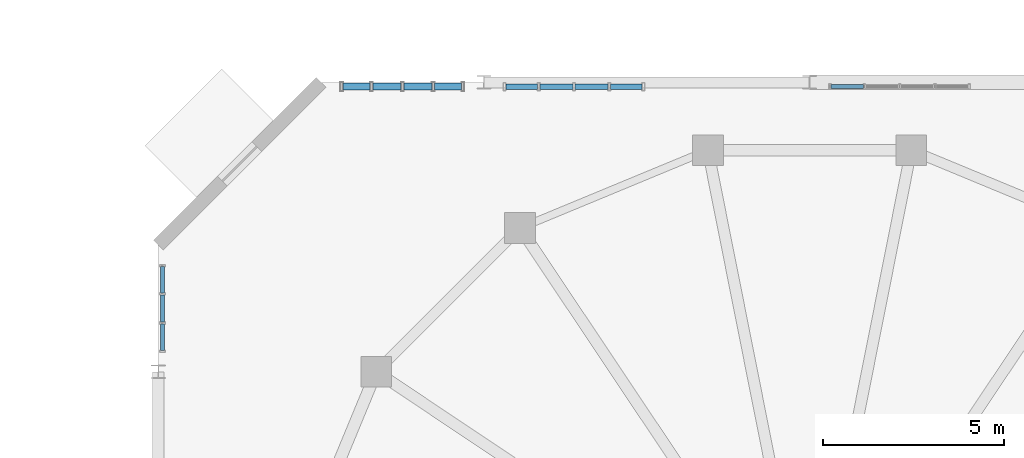
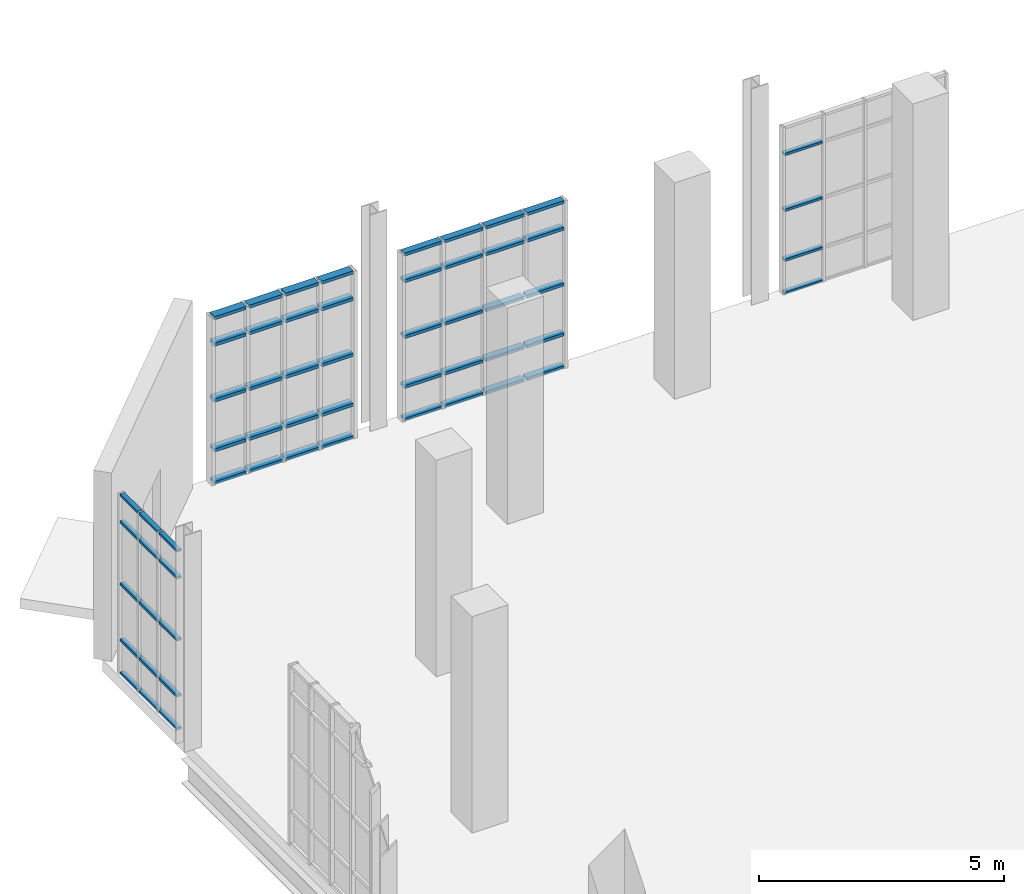
# One storey, part 132 of 189: 59 members, 4 elements without a shape of their own.
"""IFC4 building model written with IfcOpenShell, lengths in metres."""

from ifc_helpers import new_model, si_unit, direction, frame, origin, origin_2d, place, context, subcontext, project, spatial, hollow_rectangle, extrude, material, layer, layer_set, material_profile, profile_set, type_object, element, aggregate, save


model = new_model("IFC4")

# Units and contexts
model_context = context("Model", 3, precision=1e-05, world=origin(), true_north=direction((0.0, 1.0)))
body_context = subcontext(model_context, "Body", "Model", "MODEL_VIEW")
ifc_project = project(units=[si_unit("LENGTHUNIT", "METRE"), si_unit("AREAUNIT", "SQUARE_METRE"), si_unit("VOLUMEUNIT", "CUBIC_METRE"), si_unit("PLANEANGLEUNIT", "RADIAN"), si_unit("MASSUNIT", "GRAM", prefix="KILO"), si_unit("THERMODYNAMICTEMPERATUREUNIT", "KELVIN"), si_unit("POWERUNIT", "WATT")], contexts=[model_context])

# Site, building, storey
site_placement = place(None, origin())
site = spatial("IfcSite", under=ifc_project, at=site_placement, CompositionType="ELEMENT")
building_placement = place(site_placement, origin())
building = spatial("IfcBuilding", under=site, at=building_placement, Name="Zelmaris Science Centre", CompositionType="ELEMENT")
storey_placement = place(building_placement, origin())
storey = spatial("IfcBuildingStorey", under=building, at=storey_placement, Name="L00", CompositionType="ELEMENT", Elevation=0.0)

# Curtain wall, members
ifc_material = material(Name="Anodised architectural aluminium 6063-T6", Category="aluminium")
ifc_layer_1 = layer(ifc_material, 0.219970703125, Name="Anodised architectural aluminium 6063-T6")
ifc_layer_set_1 = layer_set([ifc_layer_1], Name="Anodised architectural aluminium 6063-T6")
curtain_wall_type_1 = type_object("IfcCurtainWallType", Name="Curtain Wall CW-04", PredefinedType="USERDEFINED", material=ifc_layer_set_1)
curtain_wall_1_placement = place(storey_placement, origin())
curtain_wall_1 = element("IfcCurtainWall", 1, at=curtain_wall_1_placement, inside=storey, type_object=curtain_wall_type_1, Name="L00 Unitised curtain wall 16", ObjectType="GLAZED CURTAIN WALL", PredefinedType="USERDEFINED")
ifc_material_profile_1 = material_profile(ifc_material, hollow_rectangle(XDim=0.06005859375, YDim=0.110107421875, WallThickness=0.0029296875, at=origin_2d()), Name="ALU-TRN-60X110")
ifc_profile_set_1 = profile_set([ifc_material_profile_1], Name="Anodised architectural aluminium 6063-T6")
member_type_1 = type_object("IfcMemberType", Name="ALU-TRN-60X110", PredefinedType="USERDEFINED", material=ifc_profile_set_1)
member_1_placement = place(storey_placement, frame((9.1201171875, 80.592041015625, 0.010986328125), z_axis=(0.0, 1.0, 0.0), x_axis=(0.0, 0.0, 1.0)))
member_1 = element("IfcMember", 2, at=member_1_placement, type_object=member_type_1, Name="CW-04 transom 1.1", ObjectType="TRANSOM", PredefinedType="USERDEFINED", context=body_context, shape_type="SweptSolid", body=[
    extrude(hollow_rectangle(XDim=0.06005859375, YDim=0.110107421875, WallThickness=0.0029296875, at=origin_2d()), origin(), (0.0, 0.0, 1.0), 0.728515625),
])
member_2_placement = place(storey_placement, frame((9.1201171875, 80.592041015625, 0.8349609375), z_axis=(0.0, 1.0, 0.0), x_axis=(0.0, 0.0, 1.0)))
member_2 = element("IfcMember", 3, at=member_2_placement, type_object=member_type_1, Name="CW-04 transom 1.2", ObjectType="TRANSOM", PredefinedType="USERDEFINED", context=body_context, shape_type="SweptSolid", body=[
    extrude(hollow_rectangle(XDim=0.06005859375, YDim=0.110107421875, WallThickness=0.0029296875, at=origin_2d()), origin(), (0.0, 0.0, 1.0), 0.728515625),
])
member_3_placement = place(storey_placement, frame((9.1201171875, 80.592041015625, 2.23388671875), z_axis=(0.0, 1.0, 0.0), x_axis=(0.0, 0.0, 1.0)))
member_3 = element("IfcMember", 4, at=member_3_placement, type_object=member_type_1, Name="CW-04 transom 1.3", ObjectType="TRANSOM", PredefinedType="USERDEFINED", context=body_context, shape_type="SweptSolid", body=[
    extrude(hollow_rectangle(XDim=0.06005859375, YDim=0.110107421875, WallThickness=0.0029296875, at=origin_2d()), origin(), (0.0, 0.0, 1.0), 0.728515625),
])
member_4_placement = place(storey_placement, frame((9.1201171875, 80.592041015625, 3.782958984375), z_axis=(0.0, 1.0, 0.0), x_axis=(0.0, 0.0, 1.0)))
member_4 = element("IfcMember", 5, at=member_4_placement, type_object=member_type_1, Name="CW-04 transom 1.4", ObjectType="TRANSOM", PredefinedType="USERDEFINED", context=body_context, shape_type="SweptSolid", body=[
    extrude(hollow_rectangle(XDim=0.06005859375, YDim=0.110107421875, WallThickness=0.0029296875, at=origin_2d()), origin(), (0.0, 0.0, 1.0), 0.728515625),
])
member_5_placement = place(storey_placement, frame((9.1201171875, 80.592041015625, 4.45703125), z_axis=(0.0, 1.0, 0.0), x_axis=(0.0, 0.0, 1.0)))
member_5 = element("IfcMember", 6, at=member_5_placement, type_object=member_type_1, Name="CW-04 transom 1.5", ObjectType="TRANSOM", PredefinedType="USERDEFINED", context=body_context, shape_type="SweptSolid", body=[
    extrude(hollow_rectangle(XDim=0.06005859375, YDim=0.110107421875, WallThickness=0.0029296875, at=origin_2d()), origin(), (0.0, 0.0, 1.0), 0.728515625),
])
member_6_placement = place(storey_placement, frame((9.1201171875, 81.37255859375, 0.010986328125), z_axis=(0.0, 1.0, 0.0), x_axis=(0.0, 0.0, 1.0)))
member_6 = element("IfcMember", 7, at=member_6_placement, type_object=member_type_1, Name="CW-04 transom 2.1", ObjectType="TRANSOM", PredefinedType="USERDEFINED", context=body_context, shape_type="SweptSolid", body=[
    extrude(hollow_rectangle(XDim=0.06005859375, YDim=0.110107421875, WallThickness=0.0029296875, at=origin_2d()), origin(), (0.0, 0.0, 1.0), 0.7548828125),
])
member_7_placement = place(storey_placement, frame((9.1201171875, 81.37255859375, 0.8349609375), z_axis=(0.0, 1.0, 0.0), x_axis=(0.0, 0.0, 1.0)))
member_7 = element("IfcMember", 8, at=member_7_placement, type_object=member_type_1, Name="CW-04 transom 2.2", ObjectType="TRANSOM", PredefinedType="USERDEFINED", context=body_context, shape_type="SweptSolid", body=[
    extrude(hollow_rectangle(XDim=0.06005859375, YDim=0.110107421875, WallThickness=0.0029296875, at=origin_2d()), origin(), (0.0, 0.0, 1.0), 0.7548828125),
])
member_8_placement = place(storey_placement, frame((9.1201171875, 81.37255859375, 2.23388671875), z_axis=(0.0, 1.0, 0.0), x_axis=(0.0, 0.0, 1.0)))
member_8 = element("IfcMember", 9, at=member_8_placement, type_object=member_type_1, Name="CW-04 transom 2.3", ObjectType="TRANSOM", PredefinedType="USERDEFINED", context=body_context, shape_type="SweptSolid", body=[
    extrude(hollow_rectangle(XDim=0.06005859375, YDim=0.110107421875, WallThickness=0.0029296875, at=origin_2d()), origin(), (0.0, 0.0, 1.0), 0.7548828125),
])
member_9_placement = place(storey_placement, frame((9.1201171875, 81.37255859375, 3.782958984375), z_axis=(0.0, 1.0, 0.0), x_axis=(0.0, 0.0, 1.0)))
member_9 = element("IfcMember", 10, at=member_9_placement, type_object=member_type_1, Name="CW-04 transom 2.4", ObjectType="TRANSOM", PredefinedType="USERDEFINED", context=body_context, shape_type="SweptSolid", body=[
    extrude(hollow_rectangle(XDim=0.06005859375, YDim=0.110107421875, WallThickness=0.0029296875, at=origin_2d()), origin(), (0.0, 0.0, 1.0), 0.7548828125),
])
member_10_placement = place(storey_placement, frame((9.1201171875, 81.37255859375, 4.45703125), z_axis=(0.0, 1.0, 0.0), x_axis=(0.0, 0.0, 1.0)))
member_10 = element("IfcMember", 11, at=member_10_placement, type_object=member_type_1, Name="CW-04 transom 2.5", ObjectType="TRANSOM", PredefinedType="USERDEFINED", context=body_context, shape_type="SweptSolid", body=[
    extrude(hollow_rectangle(XDim=0.06005859375, YDim=0.110107421875, WallThickness=0.0029296875, at=origin_2d()), origin(), (0.0, 0.0, 1.0), 0.7548828125),
])
member_11_placement = place(storey_placement, frame((9.1201171875, 82.179443359375, 0.010986328125), z_axis=(0.0, 1.0, 0.0), x_axis=(0.0, 0.0, 1.0)))
member_11 = element("IfcMember", 12, at=member_11_placement, type_object=member_type_1, Name="CW-04 transom 3.1", ObjectType="TRANSOM", PredefinedType="USERDEFINED", context=body_context, shape_type="SweptSolid", body=[
    extrude(hollow_rectangle(XDim=0.06005859375, YDim=0.110107421875, WallThickness=0.0029296875, at=origin_2d()), origin(), (0.0, 0.0, 1.0), 0.728515625),
])
member_12_placement = place(storey_placement, frame((9.1201171875, 82.179443359375, 0.8349609375), z_axis=(0.0, 1.0, 0.0), x_axis=(0.0, 0.0, 1.0)))
member_12 = element("IfcMember", 13, at=member_12_placement, type_object=member_type_1, Name="CW-04 transom 3.2", ObjectType="TRANSOM", PredefinedType="USERDEFINED", context=body_context, shape_type="SweptSolid", body=[
    extrude(hollow_rectangle(XDim=0.06005859375, YDim=0.110107421875, WallThickness=0.0029296875, at=origin_2d()), origin(), (0.0, 0.0, 1.0), 0.728515625),
])
member_13_placement = place(storey_placement, frame((9.1201171875, 82.179443359375, 2.23388671875), z_axis=(0.0, 1.0, 0.0), x_axis=(0.0, 0.0, 1.0)))
member_13 = element("IfcMember", 14, at=member_13_placement, type_object=member_type_1, Name="CW-04 transom 3.3", ObjectType="TRANSOM", PredefinedType="USERDEFINED", context=body_context, shape_type="SweptSolid", body=[
    extrude(hollow_rectangle(XDim=0.06005859375, YDim=0.110107421875, WallThickness=0.0029296875, at=origin_2d()), origin(), (0.0, 0.0, 1.0), 0.728515625),
])
member_14_placement = place(storey_placement, frame((9.1201171875, 82.179443359375, 3.782958984375), z_axis=(0.0, 1.0, 0.0), x_axis=(0.0, 0.0, 1.0)))
member_14 = element("IfcMember", 15, at=member_14_placement, type_object=member_type_1, Name="CW-04 transom 3.4", ObjectType="TRANSOM", PredefinedType="USERDEFINED", context=body_context, shape_type="SweptSolid", body=[
    extrude(hollow_rectangle(XDim=0.06005859375, YDim=0.110107421875, WallThickness=0.0029296875, at=origin_2d()), origin(), (0.0, 0.0, 1.0), 0.728515625),
])
member_15_placement = place(storey_placement, frame((9.1201171875, 82.179443359375, 4.45703125), z_axis=(0.0, 1.0, 0.0), x_axis=(0.0, 0.0, 1.0)))
member_15 = element("IfcMember", 16, at=member_15_placement, type_object=member_type_1, Name="CW-04 transom 3.5", ObjectType="TRANSOM", PredefinedType="USERDEFINED", context=body_context, shape_type="SweptSolid", body=[
    extrude(hollow_rectangle(XDim=0.06005859375, YDim=0.110107421875, WallThickness=0.0029296875, at=origin_2d()), origin(), (0.0, 0.0, 1.0), 0.728515625),
])
aggregate(curtain_wall_1, [member_1, member_2, member_3, member_4, member_5, member_6, member_7, member_8, member_9, member_10, member_11, member_12, member_13, member_14, member_15])

curtain_wall_2_placement = place(storey_placement, origin())
curtain_wall_2 = element("IfcCurtainWall", 17, at=curtain_wall_2_placement, inside=storey, type_object=curtain_wall_type_1, Name="L00 Unitised curtain wall 20", ObjectType="GLAZED CURTAIN WALL", PredefinedType="USERDEFINED")
member_16_placement = place(storey_placement, frame((27.592041015625, 87.8798828125, 0.010986328125), z_axis=(1.0, 0.0, 0.0), x_axis=(0.0, 0.0, 1.0)))
member_16 = element("IfcMember", 18, at=member_16_placement, type_object=member_type_1, Name="CW-04 transom 1.1", ObjectType="TRANSOM", PredefinedType="USERDEFINED", context=body_context, shape_type="SweptSolid", body=[
    extrude(hollow_rectangle(XDim=0.06005859375, YDim=0.110107421875, WallThickness=0.0029296875, at=origin_2d()), origin(), (0.0, 0.0, 1.0), 0.89697265625),
])
member_17_placement = place(storey_placement, frame((27.592041015625, 87.8798828125, 0.8349609375), z_axis=(1.0, 0.0, 0.0), x_axis=(0.0, 0.0, 1.0)))
member_17 = element("IfcMember", 19, at=member_17_placement, type_object=member_type_1, Name="CW-04 transom 1.2", ObjectType="TRANSOM", PredefinedType="USERDEFINED", context=body_context, shape_type="SweptSolid", body=[
    extrude(hollow_rectangle(XDim=0.06005859375, YDim=0.110107421875, WallThickness=0.0029296875, at=origin_2d()), origin(), (0.0, 0.0, 1.0), 0.89697265625),
])
member_18_placement = place(storey_placement, frame((27.592041015625, 87.8798828125, 2.077880859375), z_axis=(1.0, 0.0, 0.0), x_axis=(0.0, 0.0, 1.0)))
member_18 = element("IfcMember", 20, at=member_18_placement, type_object=member_type_1, Name="CW-04 transom 1.3", ObjectType="TRANSOM", PredefinedType="USERDEFINED", context=body_context, shape_type="SweptSolid", body=[
    extrude(hollow_rectangle(XDim=0.06005859375, YDim=0.110107421875, WallThickness=0.0029296875, at=origin_2d()), origin(), (0.0, 0.0, 1.0), 0.89697265625),
])
member_19_placement = place(storey_placement, frame((27.592041015625, 87.8798828125, 3.470947265625), z_axis=(1.0, 0.0, 0.0), x_axis=(0.0, 0.0, 1.0)))
member_19 = element("IfcMember", 21, at=member_19_placement, type_object=member_type_1, Name="CW-04 transom 1.4", ObjectType="TRANSOM", PredefinedType="USERDEFINED", context=body_context, shape_type="SweptSolid", body=[
    extrude(hollow_rectangle(XDim=0.06005859375, YDim=0.110107421875, WallThickness=0.0029296875, at=origin_2d()), origin(), (0.0, 0.0, 1.0), 0.89697265625),
])
aggregate(curtain_wall_2, [member_16, member_17, member_18, member_19])

ifc_layer_2 = layer(ifc_material, 0.199951171875, Name="Anodised architectural aluminium 6063-T6")
ifc_layer_set_2 = layer_set([ifc_layer_2], Name="Anodised architectural aluminium 6063-T6")
curtain_wall_type_2 = type_object("IfcCurtainWallType", Name="Curtain Wall CW-02", PredefinedType="USERDEFINED", material=ifc_layer_set_2)
curtain_wall_3_placement = place(storey_placement, origin())
curtain_wall_3 = element("IfcCurtainWall", 22, at=curtain_wall_3_placement, inside=storey, type_object=curtain_wall_type_2, Name="L00 Unitised curtain wall 18", ObjectType="GLAZED CURTAIN WALL", PredefinedType="USERDEFINED")
ifc_material_profile_2 = material_profile(ifc_material, hollow_rectangle(XDim=0.074951171875, YDim=0.159912109375, WallThickness=0.00390625, at=origin_2d()), Name="ALU-TRN-75X160")
ifc_profile_set_2 = profile_set([ifc_material_profile_2], Name="Anodised architectural aluminium 6063-T6")
member_type_2 = type_object("IfcMemberType", Name="ALU-TRN-75X160", PredefinedType="USERDEFINED", material=ifc_profile_set_2)
member_20_placement = place(storey_placement, frame((18.60693359375, 87.8798828125, 0.0185546875), z_axis=(1.0, 0.0, 0.0), x_axis=(0.0, 0.0, 1.0)))
member_20 = element("IfcMember", 23, at=member_20_placement, type_object=member_type_2, Name="CW-02 transom 1.1", ObjectType="TRANSOM", PredefinedType="USERDEFINED", context=body_context, shape_type="SweptSolid", body=[
    extrude(hollow_rectangle(XDim=0.074951171875, YDim=0.159912109375, WallThickness=0.00390625, at=origin_2d()), origin(), (0.0, 0.0, 1.0), 0.87451171875),
])
member_21_placement = place(storey_placement, frame((18.60693359375, 87.8798828125, 0.8349609375), z_axis=(1.0, 0.0, 0.0), x_axis=(0.0, 0.0, 1.0)))
member_21 = element("IfcMember", 24, at=member_21_placement, type_object=member_type_2, Name="CW-02 transom 1.2", ObjectType="TRANSOM", PredefinedType="USERDEFINED", context=body_context, shape_type="SweptSolid", body=[
    extrude(hollow_rectangle(XDim=0.074951171875, YDim=0.159912109375, WallThickness=0.00390625, at=origin_2d()), origin(), (0.0, 0.0, 1.0), 0.87451171875),
])
member_22_placement = place(storey_placement, frame((18.60693359375, 87.8798828125, 2.077880859375), z_axis=(1.0, 0.0, 0.0), x_axis=(0.0, 0.0, 1.0)))
member_22 = element("IfcMember", 25, at=member_22_placement, type_object=member_type_2, Name="CW-02 transom 1.3", ObjectType="TRANSOM", PredefinedType="USERDEFINED", context=body_context, shape_type="SweptSolid", body=[
    extrude(hollow_rectangle(XDim=0.074951171875, YDim=0.159912109375, WallThickness=0.00390625, at=origin_2d()), origin(), (0.0, 0.0, 1.0), 0.87451171875),
])
member_23_placement = place(storey_placement, frame((18.60693359375, 87.8798828125, 3.470947265625), z_axis=(1.0, 0.0, 0.0), x_axis=(0.0, 0.0, 1.0)))
member_23 = element("IfcMember", 26, at=member_23_placement, type_object=member_type_2, Name="CW-02 transom 1.4", ObjectType="TRANSOM", PredefinedType="USERDEFINED", context=body_context, shape_type="SweptSolid", body=[
    extrude(hollow_rectangle(XDim=0.074951171875, YDim=0.159912109375, WallThickness=0.00390625, at=origin_2d()), origin(), (0.0, 0.0, 1.0), 0.87451171875),
])
member_24_placement = place(storey_placement, frame((18.60693359375, 87.8798828125, 4.137451171875), z_axis=(1.0, 0.0, 0.0), x_axis=(0.0, 0.0, 1.0)))
member_24 = element("IfcMember", 27, at=member_24_placement, type_object=member_type_2, Name="CW-02 transom 1.5", ObjectType="TRANSOM", PredefinedType="USERDEFINED", context=body_context, shape_type="SweptSolid", body=[
    extrude(hollow_rectangle(XDim=0.074951171875, YDim=0.159912109375, WallThickness=0.00390625, at=origin_2d()), origin(), (0.0, 0.0, 1.0), 0.87451171875),
])
member_25_placement = place(storey_placement, frame((19.548583984375, 87.8798828125, 0.0185546875), z_axis=(1.0, 0.0, 0.0), x_axis=(0.0, 0.0, 1.0)))
member_25 = element("IfcMember", 28, at=member_25_placement, type_object=member_type_2, Name="CW-02 transom 2.1", ObjectType="TRANSOM", PredefinedType="USERDEFINED", context=body_context, shape_type="SweptSolid", body=[
    extrude(hollow_rectangle(XDim=0.074951171875, YDim=0.159912109375, WallThickness=0.00390625, at=origin_2d()), origin(), (0.0, 0.0, 1.0), 0.907958984375),
])
member_26_placement = place(storey_placement, frame((19.548583984375, 87.8798828125, 0.8349609375), z_axis=(1.0, 0.0, 0.0), x_axis=(0.0, 0.0, 1.0)))
member_26 = element("IfcMember", 29, at=member_26_placement, type_object=member_type_2, Name="CW-02 transom 2.2", ObjectType="TRANSOM", PredefinedType="USERDEFINED", context=body_context, shape_type="SweptSolid", body=[
    extrude(hollow_rectangle(XDim=0.074951171875, YDim=0.159912109375, WallThickness=0.00390625, at=origin_2d()), origin(), (0.0, 0.0, 1.0), 0.907958984375),
])
member_27_placement = place(storey_placement, frame((19.548583984375, 87.8798828125, 2.077880859375), z_axis=(1.0, 0.0, 0.0), x_axis=(0.0, 0.0, 1.0)))
member_27 = element("IfcMember", 30, at=member_27_placement, type_object=member_type_2, Name="CW-02 transom 2.3", ObjectType="TRANSOM", PredefinedType="USERDEFINED", context=body_context, shape_type="SweptSolid", body=[
    extrude(hollow_rectangle(XDim=0.074951171875, YDim=0.159912109375, WallThickness=0.00390625, at=origin_2d()), origin(), (0.0, 0.0, 1.0), 0.907958984375),
])
member_28_placement = place(storey_placement, frame((19.548583984375, 87.8798828125, 3.470947265625), z_axis=(1.0, 0.0, 0.0), x_axis=(0.0, 0.0, 1.0)))
member_28 = element("IfcMember", 31, at=member_28_placement, type_object=member_type_2, Name="CW-02 transom 2.4", ObjectType="TRANSOM", PredefinedType="USERDEFINED", context=body_context, shape_type="SweptSolid", body=[
    extrude(hollow_rectangle(XDim=0.074951171875, YDim=0.159912109375, WallThickness=0.00390625, at=origin_2d()), origin(), (0.0, 0.0, 1.0), 0.907958984375),
])
member_29_placement = place(storey_placement, frame((19.548583984375, 87.8798828125, 4.137451171875), z_axis=(1.0, 0.0, 0.0), x_axis=(0.0, 0.0, 1.0)))
member_29 = element("IfcMember", 32, at=member_29_placement, type_object=member_type_2, Name="CW-02 transom 2.5", ObjectType="TRANSOM", PredefinedType="USERDEFINED", context=body_context, shape_type="SweptSolid", body=[
    extrude(hollow_rectangle(XDim=0.074951171875, YDim=0.159912109375, WallThickness=0.00390625, at=origin_2d()), origin(), (0.0, 0.0, 1.0), 0.907958984375),
])
member_30_placement = place(storey_placement, frame((20.5234375, 87.8798828125, 0.0185546875), z_axis=(1.0, 0.0, 0.0), x_axis=(0.0, 0.0, 1.0)))
member_30 = element("IfcMember", 33, at=member_30_placement, type_object=member_type_2, Name="CW-02 transom 3.1", ObjectType="TRANSOM", PredefinedType="USERDEFINED", context=body_context, shape_type="SweptSolid", body=[
    extrude(hollow_rectangle(XDim=0.074951171875, YDim=0.159912109375, WallThickness=0.00390625, at=origin_2d()), origin(), (0.0, 0.0, 1.0), 0.907958984375),
])
member_31_placement = place(storey_placement, frame((20.5234375, 87.8798828125, 0.8349609375), z_axis=(1.0, 0.0, 0.0), x_axis=(0.0, 0.0, 1.0)))
member_31 = element("IfcMember", 34, at=member_31_placement, type_object=member_type_2, Name="CW-02 transom 3.2", ObjectType="TRANSOM", PredefinedType="USERDEFINED", context=body_context, shape_type="SweptSolid", body=[
    extrude(hollow_rectangle(XDim=0.074951171875, YDim=0.159912109375, WallThickness=0.00390625, at=origin_2d()), origin(), (0.0, 0.0, 1.0), 0.907958984375),
])
member_32_placement = place(storey_placement, frame((20.5234375, 87.8798828125, 2.077880859375), z_axis=(1.0, 0.0, 0.0), x_axis=(0.0, 0.0, 1.0)))
member_32 = element("IfcMember", 35, at=member_32_placement, type_object=member_type_2, Name="CW-02 transom 3.3", ObjectType="TRANSOM", PredefinedType="USERDEFINED", context=body_context, shape_type="SweptSolid", body=[
    extrude(hollow_rectangle(XDim=0.074951171875, YDim=0.159912109375, WallThickness=0.00390625, at=origin_2d()), origin(), (0.0, 0.0, 1.0), 0.907958984375),
])
member_33_placement = place(storey_placement, frame((20.5234375, 87.8798828125, 3.470947265625), z_axis=(1.0, 0.0, 0.0), x_axis=(0.0, 0.0, 1.0)))
member_33 = element("IfcMember", 36, at=member_33_placement, type_object=member_type_2, Name="CW-02 transom 3.4", ObjectType="TRANSOM", PredefinedType="USERDEFINED", context=body_context, shape_type="SweptSolid", body=[
    extrude(hollow_rectangle(XDim=0.074951171875, YDim=0.159912109375, WallThickness=0.00390625, at=origin_2d()), origin(), (0.0, 0.0, 1.0), 0.907958984375),
])
member_34_placement = place(storey_placement, frame((20.5234375, 87.8798828125, 4.137451171875), z_axis=(1.0, 0.0, 0.0), x_axis=(0.0, 0.0, 1.0)))
member_34 = element("IfcMember", 37, at=member_34_placement, type_object=member_type_2, Name="CW-02 transom 3.5", ObjectType="TRANSOM", PredefinedType="USERDEFINED", context=body_context, shape_type="SweptSolid", body=[
    extrude(hollow_rectangle(XDim=0.074951171875, YDim=0.159912109375, WallThickness=0.00390625, at=origin_2d()), origin(), (0.0, 0.0, 1.0), 0.907958984375),
])
member_35_placement = place(storey_placement, frame((21.49853515625, 87.8798828125, 0.0185546875), z_axis=(1.0, 0.0, 0.0), x_axis=(0.0, 0.0, 1.0)))
member_35 = element("IfcMember", 38, at=member_35_placement, type_object=member_type_2, Name="CW-02 transom 4.1", ObjectType="TRANSOM", PredefinedType="USERDEFINED", context=body_context, shape_type="SweptSolid", body=[
    extrude(hollow_rectangle(XDim=0.074951171875, YDim=0.159912109375, WallThickness=0.00390625, at=origin_2d()), origin(), (0.0, 0.0, 1.0), 0.87451171875),
])
member_36_placement = place(storey_placement, frame((21.49853515625, 87.8798828125, 0.8349609375), z_axis=(1.0, 0.0, 0.0), x_axis=(0.0, 0.0, 1.0)))
member_36 = element("IfcMember", 39, at=member_36_placement, type_object=member_type_2, Name="CW-02 transom 4.2", ObjectType="TRANSOM", PredefinedType="USERDEFINED", context=body_context, shape_type="SweptSolid", body=[
    extrude(hollow_rectangle(XDim=0.074951171875, YDim=0.159912109375, WallThickness=0.00390625, at=origin_2d()), origin(), (0.0, 0.0, 1.0), 0.87451171875),
])
member_37_placement = place(storey_placement, frame((21.49853515625, 87.8798828125, 2.077880859375), z_axis=(1.0, 0.0, 0.0), x_axis=(0.0, 0.0, 1.0)))
member_37 = element("IfcMember", 40, at=member_37_placement, type_object=member_type_2, Name="CW-02 transom 4.3", ObjectType="TRANSOM", PredefinedType="USERDEFINED", context=body_context, shape_type="SweptSolid", body=[
    extrude(hollow_rectangle(XDim=0.074951171875, YDim=0.159912109375, WallThickness=0.00390625, at=origin_2d()), origin(), (0.0, 0.0, 1.0), 0.87451171875),
])
member_38_placement = place(storey_placement, frame((21.49853515625, 87.8798828125, 3.470947265625), z_axis=(1.0, 0.0, 0.0), x_axis=(0.0, 0.0, 1.0)))
member_38 = element("IfcMember", 41, at=member_38_placement, type_object=member_type_2, Name="CW-02 transom 4.4", ObjectType="TRANSOM", PredefinedType="USERDEFINED", context=body_context, shape_type="SweptSolid", body=[
    extrude(hollow_rectangle(XDim=0.074951171875, YDim=0.159912109375, WallThickness=0.00390625, at=origin_2d()), origin(), (0.0, 0.0, 1.0), 0.87451171875),
])
member_39_placement = place(storey_placement, frame((21.49853515625, 87.8798828125, 4.137451171875), z_axis=(1.0, 0.0, 0.0), x_axis=(0.0, 0.0, 1.0)))
member_39 = element("IfcMember", 42, at=member_39_placement, type_object=member_type_2, Name="CW-02 transom 4.5", ObjectType="TRANSOM", PredefinedType="USERDEFINED", context=body_context, shape_type="SweptSolid", body=[
    extrude(hollow_rectangle(XDim=0.074951171875, YDim=0.159912109375, WallThickness=0.00390625, at=origin_2d()), origin(), (0.0, 0.0, 1.0), 0.87451171875),
])
aggregate(curtain_wall_3, [member_20, member_21, member_22, member_23, member_24, member_25, member_26, member_27, member_28, member_29, member_30, member_31, member_32, member_33, member_34, member_35, member_36, member_37, member_38, member_39])

ifc_layer_3 = layer(ifc_material, 0.18994140625, Name="Anodised architectural aluminium 6063-T6")
ifc_layer_set_3 = layer_set([ifc_layer_3], Name="Anodised architectural aluminium 6063-T6")
curtain_wall_type_3 = type_object("IfcCurtainWallType", Name="Curtain Wall CW-01", PredefinedType="USERDEFINED", material=ifc_layer_set_3)
curtain_wall_4_placement = place(storey_placement, origin())
curtain_wall_4 = element("IfcCurtainWall", 43, at=curtain_wall_4_placement, inside=storey, type_object=curtain_wall_type_3, Name="L00 Unitised curtain wall 17", ObjectType="GLAZED CURTAIN WALL", PredefinedType="USERDEFINED")
ifc_material_profile_3 = material_profile(ifc_material, hollow_rectangle(XDim=0.080078125, YDim=0.18994140625, WallThickness=0.00439453125, at=origin_2d()), Name="ALU-TRN-80X190")
ifc_profile_set_3 = profile_set([ifc_material_profile_3], Name="Anodised architectural aluminium 6063-T6")
member_type_3 = type_object("IfcMemberType", Name="ALU-TRN-80X190", PredefinedType="USERDEFINED", material=ifc_profile_set_3)
member_40_placement = place(storey_placement, frame((14.112060546875, 87.8798828125, 0.02099609375), z_axis=(1.0, 0.0, 0.0), x_axis=(0.0, 0.0, 1.0)))
member_40 = element("IfcMember", 44, at=member_40_placement, type_object=member_type_3, Name="CW-01 transom 1.1", ObjectType="TRANSOM", PredefinedType="USERDEFINED", context=body_context, shape_type="SweptSolid", body=[
    extrude(hollow_rectangle(XDim=0.080078125, YDim=0.18994140625, WallThickness=0.00439453125, at=origin_2d()), origin(), (0.0, 0.0, 1.0), 0.746826171875),
])
member_41_placement = place(storey_placement, frame((14.112060546875, 87.8798828125, 0.8349609375), z_axis=(1.0, 0.0, 0.0), x_axis=(0.0, 0.0, 1.0)))
member_41 = element("IfcMember", 45, at=member_41_placement, type_object=member_type_3, Name="CW-01 transom 1.2", ObjectType="TRANSOM", PredefinedType="USERDEFINED", context=body_context, shape_type="SweptSolid", body=[
    extrude(hollow_rectangle(XDim=0.080078125, YDim=0.18994140625, WallThickness=0.00439453125, at=origin_2d()), origin(), (0.0, 0.0, 1.0), 0.746826171875),
])
member_42_placement = place(storey_placement, frame((14.112060546875, 87.8798828125, 2.077880859375), z_axis=(1.0, 0.0, 0.0), x_axis=(0.0, 0.0, 1.0)))
member_42 = element("IfcMember", 46, at=member_42_placement, type_object=member_type_3, Name="CW-01 transom 1.3", ObjectType="TRANSOM", PredefinedType="USERDEFINED", context=body_context, shape_type="SweptSolid", body=[
    extrude(hollow_rectangle(XDim=0.080078125, YDim=0.18994140625, WallThickness=0.00439453125, at=origin_2d()), origin(), (0.0, 0.0, 1.0), 0.746826171875),
])
member_43_placement = place(storey_placement, frame((14.112060546875, 87.8798828125, 3.470947265625), z_axis=(1.0, 0.0, 0.0), x_axis=(0.0, 0.0, 1.0)))
member_43 = element("IfcMember", 47, at=member_43_placement, type_object=member_type_3, Name="CW-01 transom 1.4", ObjectType="TRANSOM", PredefinedType="USERDEFINED", context=body_context, shape_type="SweptSolid", body=[
    extrude(hollow_rectangle(XDim=0.080078125, YDim=0.18994140625, WallThickness=0.00439453125, at=origin_2d()), origin(), (0.0, 0.0, 1.0), 0.746826171875),
])
member_44_placement = place(storey_placement, frame((14.112060546875, 87.8798828125, 4.135009765625), z_axis=(1.0, 0.0, 0.0), x_axis=(0.0, 0.0, 1.0)))
member_44 = element("IfcMember", 48, at=member_44_placement, type_object=member_type_3, Name="CW-01 transom 1.5", ObjectType="TRANSOM", PredefinedType="USERDEFINED", context=body_context, shape_type="SweptSolid", body=[
    extrude(hollow_rectangle(XDim=0.080078125, YDim=0.18994140625, WallThickness=0.00439453125, at=origin_2d()), origin(), (0.0, 0.0, 1.0), 0.746826171875),
])
member_45_placement = place(storey_placement, frame((14.930908203125, 87.8798828125, 0.02099609375), z_axis=(1.0, 0.0, 0.0), x_axis=(0.0, 0.0, 1.0)))
member_45 = element("IfcMember", 49, at=member_45_placement, type_object=member_type_3, Name="CW-01 transom 2.1", ObjectType="TRANSOM", PredefinedType="USERDEFINED", context=body_context, shape_type="SweptSolid", body=[
    extrude(hollow_rectangle(XDim=0.080078125, YDim=0.18994140625, WallThickness=0.00439453125, at=origin_2d()), origin(), (0.0, 0.0, 1.0), 0.783203125),
])
member_46_placement = place(storey_placement, frame((14.930908203125, 87.8798828125, 0.8349609375), z_axis=(1.0, 0.0, 0.0), x_axis=(0.0, 0.0, 1.0)))
member_46 = element("IfcMember", 50, at=member_46_placement, type_object=member_type_3, Name="CW-01 transom 2.2", ObjectType="TRANSOM", PredefinedType="USERDEFINED", context=body_context, shape_type="SweptSolid", body=[
    extrude(hollow_rectangle(XDim=0.080078125, YDim=0.18994140625, WallThickness=0.00439453125, at=origin_2d()), origin(), (0.0, 0.0, 1.0), 0.783203125),
])
member_47_placement = place(storey_placement, frame((14.930908203125, 87.8798828125, 2.077880859375), z_axis=(1.0, 0.0, 0.0), x_axis=(0.0, 0.0, 1.0)))
member_47 = element("IfcMember", 51, at=member_47_placement, type_object=member_type_3, Name="CW-01 transom 2.3", ObjectType="TRANSOM", PredefinedType="USERDEFINED", context=body_context, shape_type="SweptSolid", body=[
    extrude(hollow_rectangle(XDim=0.080078125, YDim=0.18994140625, WallThickness=0.00439453125, at=origin_2d()), origin(), (0.0, 0.0, 1.0), 0.783203125),
])
member_48_placement = place(storey_placement, frame((14.930908203125, 87.8798828125, 3.470947265625), z_axis=(1.0, 0.0, 0.0), x_axis=(0.0, 0.0, 1.0)))
member_48 = element("IfcMember", 52, at=member_48_placement, type_object=member_type_3, Name="CW-01 transom 2.4", ObjectType="TRANSOM", PredefinedType="USERDEFINED", context=body_context, shape_type="SweptSolid", body=[
    extrude(hollow_rectangle(XDim=0.080078125, YDim=0.18994140625, WallThickness=0.00439453125, at=origin_2d()), origin(), (0.0, 0.0, 1.0), 0.783203125),
])
member_49_placement = place(storey_placement, frame((14.930908203125, 87.8798828125, 4.135009765625), z_axis=(1.0, 0.0, 0.0), x_axis=(0.0, 0.0, 1.0)))
member_49 = element("IfcMember", 53, at=member_49_placement, type_object=member_type_3, Name="CW-01 transom 2.5", ObjectType="TRANSOM", PredefinedType="USERDEFINED", context=body_context, shape_type="SweptSolid", body=[
    extrude(hollow_rectangle(XDim=0.080078125, YDim=0.18994140625, WallThickness=0.00439453125, at=origin_2d()), origin(), (0.0, 0.0, 1.0), 0.783203125),
])
member_50_placement = place(storey_placement, frame((15.785888671875, 87.8798828125, 0.02099609375), z_axis=(1.0, 0.0, 0.0), x_axis=(0.0, 0.0, 1.0)))
member_50 = element("IfcMember", 54, at=member_50_placement, type_object=member_type_3, Name="CW-01 transom 3.1", ObjectType="TRANSOM", PredefinedType="USERDEFINED", context=body_context, shape_type="SweptSolid", body=[
    extrude(hollow_rectangle(XDim=0.080078125, YDim=0.18994140625, WallThickness=0.00439453125, at=origin_2d()), origin(), (0.0, 0.0, 1.0), 0.783203125),
])
member_51_placement = place(storey_placement, frame((15.785888671875, 87.8798828125, 0.8349609375), z_axis=(1.0, 0.0, 0.0), x_axis=(0.0, 0.0, 1.0)))
member_51 = element("IfcMember", 55, at=member_51_placement, type_object=member_type_3, Name="CW-01 transom 3.2", ObjectType="TRANSOM", PredefinedType="USERDEFINED", context=body_context, shape_type="SweptSolid", body=[
    extrude(hollow_rectangle(XDim=0.080078125, YDim=0.18994140625, WallThickness=0.00439453125, at=origin_2d()), origin(), (0.0, 0.0, 1.0), 0.783203125),
])
member_52_placement = place(storey_placement, frame((15.785888671875, 87.8798828125, 2.077880859375), z_axis=(1.0, 0.0, 0.0), x_axis=(0.0, 0.0, 1.0)))
member_52 = element("IfcMember", 56, at=member_52_placement, type_object=member_type_3, Name="CW-01 transom 3.3", ObjectType="TRANSOM", PredefinedType="USERDEFINED", context=body_context, shape_type="SweptSolid", body=[
    extrude(hollow_rectangle(XDim=0.080078125, YDim=0.18994140625, WallThickness=0.00439453125, at=origin_2d()), origin(), (0.0, 0.0, 1.0), 0.783203125),
])
member_53_placement = place(storey_placement, frame((15.785888671875, 87.8798828125, 3.470947265625), z_axis=(1.0, 0.0, 0.0), x_axis=(0.0, 0.0, 1.0)))
member_53 = element("IfcMember", 57, at=member_53_placement, type_object=member_type_3, Name="CW-01 transom 3.4", ObjectType="TRANSOM", PredefinedType="USERDEFINED", context=body_context, shape_type="SweptSolid", body=[
    extrude(hollow_rectangle(XDim=0.080078125, YDim=0.18994140625, WallThickness=0.00439453125, at=origin_2d()), origin(), (0.0, 0.0, 1.0), 0.783203125),
])
member_54_placement = place(storey_placement, frame((15.785888671875, 87.8798828125, 4.135009765625), z_axis=(1.0, 0.0, 0.0), x_axis=(0.0, 0.0, 1.0)))
member_54 = element("IfcMember", 58, at=member_54_placement, type_object=member_type_3, Name="CW-01 transom 3.5", ObjectType="TRANSOM", PredefinedType="USERDEFINED", context=body_context, shape_type="SweptSolid", body=[
    extrude(hollow_rectangle(XDim=0.080078125, YDim=0.18994140625, WallThickness=0.00439453125, at=origin_2d()), origin(), (0.0, 0.0, 1.0), 0.783203125),
])
member_55_placement = place(storey_placement, frame((16.64111328125, 87.8798828125, 0.02099609375), z_axis=(1.0, 0.0, 0.0), x_axis=(0.0, 0.0, 1.0)))
member_55 = element("IfcMember", 59, at=member_55_placement, type_object=member_type_3, Name="CW-01 transom 4.1", ObjectType="TRANSOM", PredefinedType="USERDEFINED", context=body_context, shape_type="SweptSolid", body=[
    extrude(hollow_rectangle(XDim=0.080078125, YDim=0.18994140625, WallThickness=0.00439453125, at=origin_2d()), origin(), (0.0, 0.0, 1.0), 0.746826171875),
])
member_56_placement = place(storey_placement, frame((16.64111328125, 87.8798828125, 0.8349609375), z_axis=(1.0, 0.0, 0.0), x_axis=(0.0, 0.0, 1.0)))
member_56 = element("IfcMember", 60, at=member_56_placement, type_object=member_type_3, Name="CW-01 transom 4.2", ObjectType="TRANSOM", PredefinedType="USERDEFINED", context=body_context, shape_type="SweptSolid", body=[
    extrude(hollow_rectangle(XDim=0.080078125, YDim=0.18994140625, WallThickness=0.00439453125, at=origin_2d()), origin(), (0.0, 0.0, 1.0), 0.746826171875),
])
member_57_placement = place(storey_placement, frame((16.64111328125, 87.8798828125, 2.077880859375), z_axis=(1.0, 0.0, 0.0), x_axis=(0.0, 0.0, 1.0)))
member_57 = element("IfcMember", 61, at=member_57_placement, type_object=member_type_3, Name="CW-01 transom 4.3", ObjectType="TRANSOM", PredefinedType="USERDEFINED", context=body_context, shape_type="SweptSolid", body=[
    extrude(hollow_rectangle(XDim=0.080078125, YDim=0.18994140625, WallThickness=0.00439453125, at=origin_2d()), origin(), (0.0, 0.0, 1.0), 0.746826171875),
])
member_58_placement = place(storey_placement, frame((16.64111328125, 87.8798828125, 3.470947265625), z_axis=(1.0, 0.0, 0.0), x_axis=(0.0, 0.0, 1.0)))
member_58 = element("IfcMember", 62, at=member_58_placement, type_object=member_type_3, Name="CW-01 transom 4.4", ObjectType="TRANSOM", PredefinedType="USERDEFINED", context=body_context, shape_type="SweptSolid", body=[
    extrude(hollow_rectangle(XDim=0.080078125, YDim=0.18994140625, WallThickness=0.00439453125, at=origin_2d()), origin(), (0.0, 0.0, 1.0), 0.746826171875),
])
member_59_placement = place(storey_placement, frame((16.64111328125, 87.8798828125, 4.135009765625), z_axis=(1.0, 0.0, 0.0), x_axis=(0.0, 0.0, 1.0)))
member_59 = element("IfcMember", 63, at=member_59_placement, type_object=member_type_3, Name="CW-01 transom 4.5", ObjectType="TRANSOM", PredefinedType="USERDEFINED", context=body_context, shape_type="SweptSolid", body=[
    extrude(hollow_rectangle(XDim=0.080078125, YDim=0.18994140625, WallThickness=0.00439453125, at=origin_2d()), origin(), (0.0, 0.0, 1.0), 0.746826171875),
])
aggregate(curtain_wall_4, [member_40, member_41, member_42, member_43, member_44, member_45, member_46, member_47, member_48, member_49, member_50, member_51, member_52, member_53, member_54, member_55, member_56, member_57, member_58, member_59])

save(model, "model.ifc")
